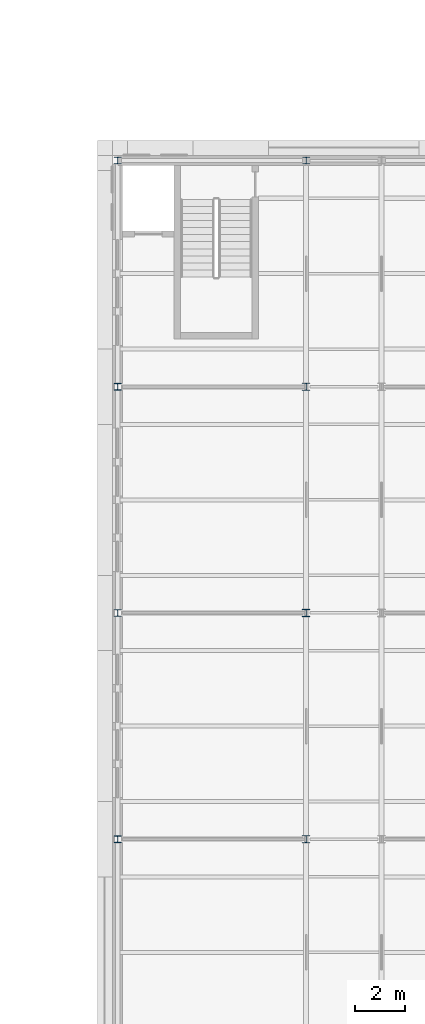
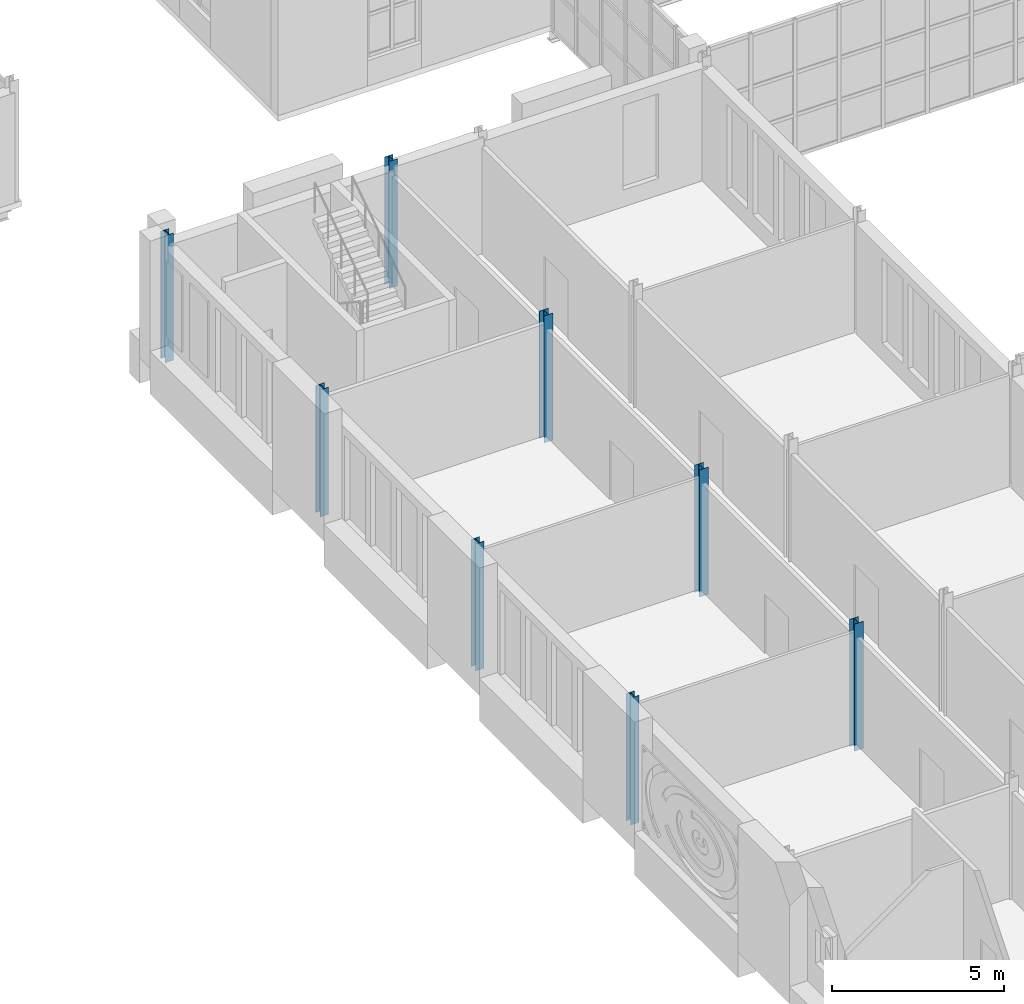
# One storey, part 4 of 134: 8 columns.
"""IFC4 building model written with IfcOpenShell, lengths in metres."""

from ifc_helpers import new_model, si_unit, direction, frame, origin, origin_2d, place, context, subcontext, project, spatial, i_section, extrude, material, material_profile, profile_set, type_object, element, save


model = new_model("IFC4")

# Units and contexts
model_context = context("Model", 3, precision=1e-05, world=origin(), true_north=direction((0.0, 1.0)))
body_context = subcontext(model_context, "Body", "Model", "MODEL_VIEW")
ifc_project = project(units=[si_unit("LENGTHUNIT", "METRE"), si_unit("AREAUNIT", "SQUARE_METRE"), si_unit("VOLUMEUNIT", "CUBIC_METRE"), si_unit("PLANEANGLEUNIT", "RADIAN"), si_unit("MASSUNIT", "GRAM", prefix="KILO")], contexts=[model_context])

# Site, building, storey
site_placement = place(None, origin())
site = spatial("IfcSite", under=ifc_project, at=site_placement, CompositionType="ELEMENT")
building_placement = place(site_placement, origin())
building = spatial("IfcBuilding", under=site, at=building_placement, Name="Golden Quay Civic Hall", CompositionType="ELEMENT")
storey_placement = place(building_placement, frame((0.0, 0.0, 5.39990234375)))
storey = spatial("IfcBuildingStorey", under=building, at=storey_placement, Name="L01", CompositionType="ELEMENT", Elevation=5.39990234375)

# Columns
ifc_material_1 = material(Name="Steel S355", Category="steel")
ifc_material_profile_1 = material_profile(ifc_material_1, i_section(OverallWidth=0.280029296875, OverallDepth=0.27001953125, WebThickness=0.008056640625, FlangeThickness=0.012939453125, FilletRadius=0.02392578125, at=origin_2d()), Name="HEA 280")
ifc_profile_set_1 = profile_set([ifc_material_profile_1], Name="Steel S355")
column_type_1 = type_object("IfcColumnType", Name="Steel column HEA 280", PredefinedType="COLUMN", material=ifc_profile_set_1)
for number, where, z_axis, x_axis, name in (
    (1, (54.0, 27.0, -0.199951171875), (0.0, 0.0, 1.0), (1.0, 0.0, 0.0), "Column 54/27 L01"),
    (2, (54.0, 36.0, -0.199951171875), (0.0, 0.0, 1.0), (1.0, 0.0, 0.0), "Column 54/36 L01"),
    (3, (54.0, 45.0, -0.199951171875), (0.0, 0.0, 1.0), (1.0, 0.0, 0.0), "Column 54/45 L01"),
    (4, (54.0, 54.0, -0.199951171875), (0.0, 0.0, 1.0), (1.0, 0.0, 0.0), "Column 54/54 L01"),
    (5, (61.5, 54.0, -0.199951171875), (0.0, 0.0, 1.0), (1.0, 0.0, 0.0), "Column 61.5/54 L01"),
):
    element("IfcColumn", number, at=place(storey_placement, frame(where, z_axis=z_axis, x_axis=x_axis)), inside=storey, type_object=column_type_1, Name=name, PredefinedType="COLUMN", context=body_context, shape_type="SweptSolid", body=[
        extrude(i_section(OverallWidth=0.280029296875, OverallDepth=0.27001953125, WebThickness=0.008056640625, FlangeThickness=0.012939453125, FilletRadius=0.02392578125, at=origin_2d()), origin(), (0.0, 0.0, 1.0), 4.5),
    ])
ifc_material_2 = material(Name="Steel S355", Category="steel")
ifc_material_profile_2 = material_profile(ifc_material_2, i_section(OverallWidth=0.300048828125, OverallDepth=0.2900390625, WebThickness=0.008544921875, FlangeThickness=0.013916015625, FilletRadius=0.027099609375, at=origin_2d()), Name="HEA 300")
ifc_profile_set_2 = profile_set([ifc_material_profile_2], Name="Steel S355")
column_type_2 = type_object("IfcColumnType", Name="Steel column HEA 300", PredefinedType="COLUMN", material=ifc_profile_set_2)
for number, where, z_axis, x_axis, name in (
    (6, (61.5, 27.0, -0.199951171875), (0.0, 0.0, 1.0), (1.0, 0.0, 0.0), "Column 61.5/27 L01"),
    (7, (61.5, 36.0, -0.199951171875), (0.0, 0.0, 1.0), (1.0, 0.0, 0.0), "Column 61.5/36 L01"),
    (8, (61.5, 45.0, -0.199951171875), (0.0, 0.0, 1.0), (1.0, 0.0, 0.0), "Column 61.5/45 L01"),
):
    element("IfcColumn", number, at=place(storey_placement, frame(where, z_axis=z_axis, x_axis=x_axis)), inside=storey, type_object=column_type_2, Name=name, PredefinedType="COLUMN", context=body_context, shape_type="SweptSolid", body=[
        extrude(i_section(OverallWidth=0.300048828125, OverallDepth=0.2900390625, WebThickness=0.008544921875, FlangeThickness=0.013916015625, FilletRadius=0.027099609375, at=origin_2d()), origin(), (0.0, 0.0, 1.0), 4.5),
    ])

save(model, "model.ifc")
